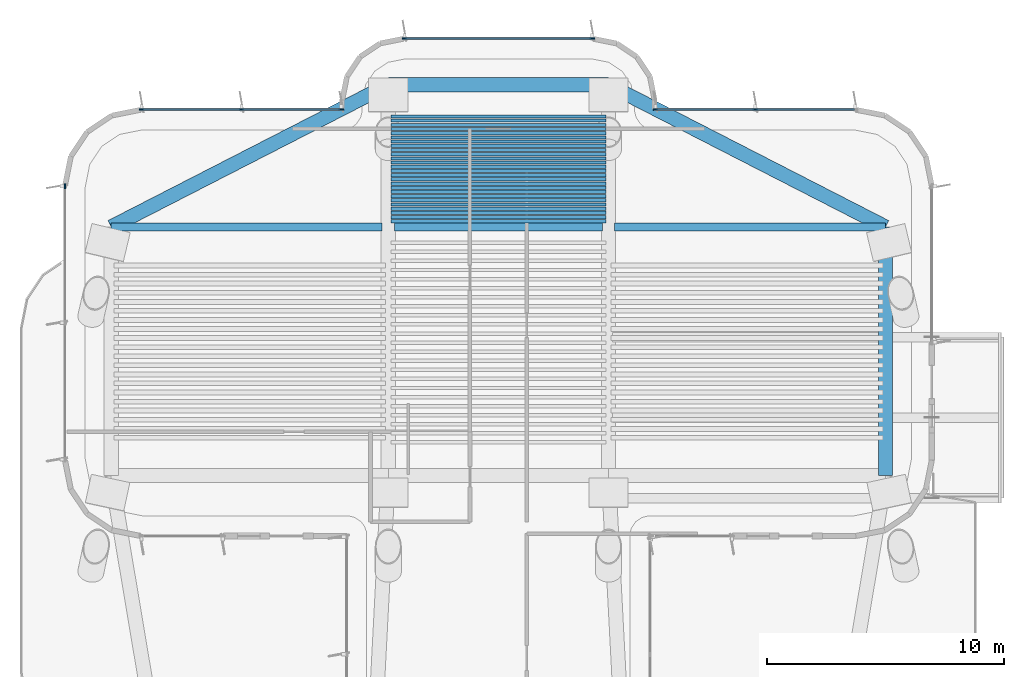
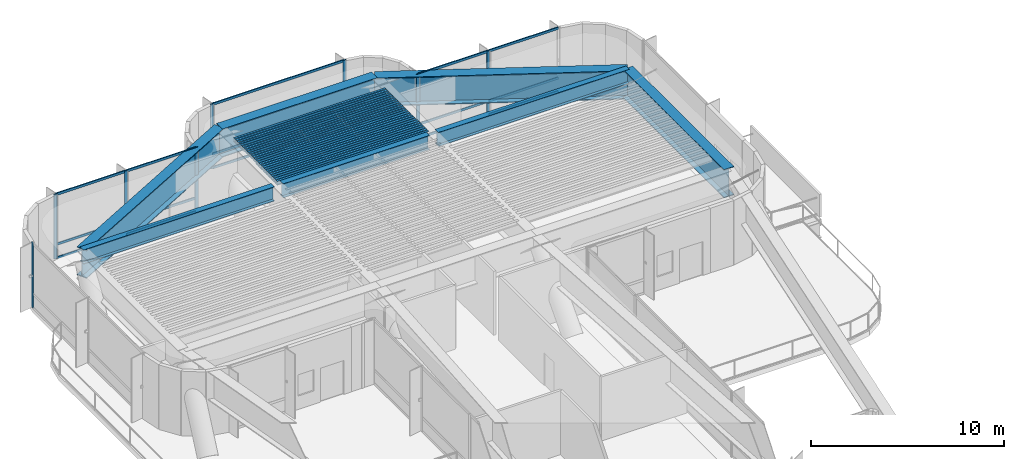
# One storey, part 7 of 16: 33 beams, 23 members, 4 elements without a shape of their own.
"""IFC4 building model written with IfcOpenShell, lengths in metres."""

from ifc_helpers import new_model, si_unit, direction, frame, origin, origin_2d, place, context, subcontext, project, spatial, rectangle, i_section, extrude, source, transform, mapped, material, layer, layer_set, material_profile, profile_set, type_object, element, aggregate, save


model = new_model("IFC4")

# Units and contexts
model_context = context("Model", 3, precision=1e-05, world=origin(), true_north=direction((0.0, 1.0)))
body_context = subcontext(model_context, "Body", "Model", "MODEL_VIEW")
ifc_project = project(units=[si_unit("LENGTHUNIT", "METRE"), si_unit("AREAUNIT", "SQUARE_METRE"), si_unit("VOLUMEUNIT", "CUBIC_METRE"), si_unit("PLANEANGLEUNIT", "RADIAN"), si_unit("MASSUNIT", "GRAM", prefix="KILO")], contexts=[model_context])

# Site, building, storey
site_placement = place(None, origin())
site = spatial("IfcSite", under=ifc_project, at=site_placement, CompositionType="ELEMENT")
building_placement = place(site_placement, origin())
building = spatial("IfcBuilding", under=site, at=building_placement, Name="Brelvock Crest Care Tower", CompositionType="ELEMENT")
storey_placement = place(building_placement, frame((0.0, 0.0, 218.52001953125)))
storey = spatial("IfcBuildingStorey", under=building, at=storey_placement, Name="L55", CompositionType="ELEMENT", Elevation=218.52001953125)

# Beams
ifc_material_1 = material(Name="Steel Grade 350", Category="steel")
ifc_material_profile_1 = material_profile(ifc_material_1, i_section(OverallWidth=0.60009765625, OverallDepth=1.800048828125, WebThickness=0.028076171875, FlangeThickness=0.052001953125, at=origin_2d()), Name="1800TG740")
ifc_profile_set_1 = profile_set([ifc_material_profile_1], Name="Steel Grade 350")
beam_type_1 = type_object("IfcBeamType", Name="BM-TG1", PredefinedType="USERDEFINED", material=ifc_profile_set_1)
shared_shape_1 = source(origin(), body_context, "Body", "SweptSolid", [
    extrude(i_section(OverallWidth=0.60009765625, OverallDepth=1.800048828125, WebThickness=0.028076171875, FlangeThickness=0.052001953125, at=origin_2d()), origin(), (0.0, 0.0, 1.0), 10.5),
])
beam_1_placement = place(storey_placement, frame((52.35009765625, 43.949951171875, 3.19189453125), z_axis=(0.0, 1.0, 0.0), x_axis=(-1.0, 0.0, 0.0)))
element("IfcBeam", 1, at=beam_1_placement, inside=storey, type_object=beam_type_1, Name="BM-TWR-L55-02", ObjectType="GIRDER", PredefinedType="USERDEFINED", context=body_context, shape_type="MappedRepresentation", body=[
    mapped(shared_shape_1, transform((0.0, 0.0, 0.0), x_axis=(1.0, 0.0, 0.0), y_axis=(0.0, 1.0, 0.0), z_axis=(0.0, 0.0, 1.0), scale=1.0)),
])
shared_shape_2 = source(origin(), body_context, "Body", "SweptSolid", [
    extrude(i_section(OverallWidth=0.60009765625, OverallDepth=1.800048828125, WebThickness=0.028076171875, FlangeThickness=0.052001953125, at=origin_2d()), origin(), (0.0, 0.0, 1.0), 9.2998046875),
])
beam_2_placement = place(storey_placement, frame((31.35009765625, 60.449951171875, 3.19189453125), z_axis=(1.0, 0.0, 0.0), x_axis=(0.0, 1.0, 0.0)))
element("IfcBeam", 2, at=beam_2_placement, inside=storey, type_object=beam_type_1, Name="BM-TWR-L55-08", ObjectType="GIRDER", PredefinedType="USERDEFINED", context=body_context, shape_type="MappedRepresentation", body=[
    mapped(shared_shape_2, transform((0.0, 0.0, 0.0), x_axis=(1.0, 0.0, 0.0), y_axis=(0.0, 1.0, 0.0), z_axis=(0.0, 0.0, 1.0), scale=1.0)),
])
ifc_material_profile_2 = material_profile(ifc_material_1, i_section(OverallWidth=0.14599609375, OverallDepth=0.256103515625, WebThickness=0.00634765625, FlangeThickness=0.010986328125, FilletRadius=0.0087890625, at=origin_2d()), Name="250UB37.3")
ifc_profile_set_2 = profile_set([ifc_material_profile_2], Name="Steel Grade 350")
beam_type_2 = type_object("IfcBeamType", Name="BM-J3", PredefinedType="JOIST", material=ifc_profile_set_2)
shared_shape_3 = source(origin(), body_context, "Body", "SweptSolid", [
    extrude(i_section(OverallWidth=0.14599609375, OverallDepth=0.256103515625, WebThickness=0.00634765625, FlangeThickness=0.010986328125, FilletRadius=0.0087890625, at=origin_2d()), origin(), (0.0, 0.0, 1.0), 9.06982421875),
])
for number, where, z_axis, x_axis, name in (
    (3, (31.465087890625, 54.68994140625, 3.9638671875), (1.0, 0.0, 0.0), (0.0, 1.0, 0.0), "BM-JN-L55-1"),
    (4, (31.465087890625, 54.866943359375, 3.9638671875), (1.0, 0.0, 0.0), (0.0, 1.0, 0.0), "BM-JN-L55-2"),
    (5, (31.465087890625, 55.0439453125, 3.9638671875), (1.0, 0.0, 0.0), (0.0, 1.0, 0.0), "BM-JN-L55-3"),
    (6, (31.465087890625, 55.220947265625, 3.9638671875), (1.0, 0.0, 0.0), (0.0, 1.0, 0.0), "BM-JN-L55-4"),
    (7, (31.465087890625, 55.39794921875, 3.9638671875), (1.0, 0.0, 0.0), (0.0, 1.0, 0.0), "BM-JN-L55-5"),
    (8, (31.465087890625, 55.574951171875, 3.9638671875), (1.0, 0.0, 0.0), (0.0, 1.0, 0.0), "BM-JN-L55-6"),
    (9, (31.465087890625, 55.751953125, 3.9638671875), (1.0, 0.0, 0.0), (0.0, 1.0, 0.0), "BM-JN-L55-7"),
    (10, (31.465087890625, 55.928955078125, 3.9638671875), (1.0, 0.0, 0.0), (0.0, 1.0, 0.0), "BM-JN-L55-8"),
    (11, (31.465087890625, 56.10595703125, 3.9638671875), (1.0, 0.0, 0.0), (0.0, 1.0, 0.0), "BM-JN-L55-9"),
    (12, (31.465087890625, 56.282958984375, 3.9638671875), (1.0, 0.0, 0.0), (0.0, 1.0, 0.0), "BM-JN-L55-10"),
    (13, (31.465087890625, 56.4599609375, 3.9638671875), (1.0, 0.0, 0.0), (0.0, 1.0, 0.0), "BM-JN-L55-11"),
    (14, (31.465087890625, 56.636962890625, 3.9638671875), (1.0, 0.0, 0.0), (0.0, 1.0, 0.0), "BM-JN-L55-12"),
    (15, (31.465087890625, 56.81396484375, 3.9638671875), (1.0, 0.0, 0.0), (0.0, 1.0, 0.0), "BM-JN-L55-13"),
):
    element("IfcBeam", number, at=place(storey_placement, frame(where, z_axis=z_axis, x_axis=x_axis)), inside=storey, type_object=beam_type_2, Name=name, PredefinedType="JOIST", context=body_context, shape_type="MappedRepresentation", body=[
        mapped(shared_shape_3, transform((0.0, 0.0, 0.0), x_axis=(1.0, 0.0, 0.0), y_axis=(0.0, 1.0, 0.0), z_axis=(0.0, 0.0, 1.0), scale=1.0)),
    ])
ifc_material_profile_3 = material_profile(ifc_material_1, i_section(OverallWidth=0.134033203125, OverallDepth=0.20703125, WebThickness=0.00634765625, FlangeThickness=0.009521484375, FilletRadius=0.0087890625, at=origin_2d()), Name="200UB29.8")
ifc_profile_set_3 = profile_set([ifc_material_profile_3], Name="Steel Grade 350")
beam_type_3 = type_object("IfcBeamType", Name="BM-J4", PredefinedType="JOIST", material=ifc_profile_set_3)
shared_shape_4 = source(origin(), body_context, "Body", "SweptSolid", [
    extrude(i_section(OverallWidth=0.134033203125, OverallDepth=0.20703125, WebThickness=0.00634765625, FlangeThickness=0.009521484375, FilletRadius=0.0087890625, at=origin_2d()), origin(), (0.0, 0.0, 1.0), 9.06982421875),
])
for number, where, z_axis, x_axis, name in (
    (16, (31.465087890625, 56.990966796875, 3.988525390625), (1.0, 0.0, 0.0), (0.0, 1.0, 0.0), "BM-JN-L55-14"),
    (17, (31.465087890625, 57.16796875, 3.988525390625), (1.0, 0.0, 0.0), (0.0, 1.0, 0.0), "BM-JN-L55-15"),
    (18, (31.465087890625, 57.344970703125, 3.988525390625), (1.0, 0.0, 0.0), (0.0, 1.0, 0.0), "BM-JN-L55-16"),
    (19, (31.465087890625, 57.52197265625, 3.988525390625), (1.0, 0.0, 0.0), (0.0, 1.0, 0.0), "BM-JN-L55-17"),
    (20, (31.465087890625, 57.698974609375, 3.988525390625), (1.0, 0.0, 0.0), (0.0, 1.0, 0.0), "BM-JN-L55-18"),
    (21, (31.465087890625, 57.8759765625, 3.988525390625), (1.0, 0.0, 0.0), (0.0, 1.0, 0.0), "BM-JN-L55-19"),
    (22, (31.465087890625, 58.052978515625, 3.988525390625), (1.0, 0.0, 0.0), (0.0, 1.0, 0.0), "BM-JN-L55-20"),
    (23, (31.465087890625, 58.22998046875, 3.988525390625), (1.0, 0.0, 0.0), (0.0, 1.0, 0.0), "BM-JN-L55-21"),
    (24, (31.465087890625, 58.406982421875, 3.988525390625), (1.0, 0.0, 0.0), (0.0, 1.0, 0.0), "BM-JN-L55-22"),
    (25, (31.465087890625, 58.583984375, 3.988525390625), (1.0, 0.0, 0.0), (0.0, 1.0, 0.0), "BM-JN-L55-23"),
    (26, (31.465087890625, 58.760986328125, 3.988525390625), (1.0, 0.0, 0.0), (0.0, 1.0, 0.0), "BM-JN-L55-24"),
    (27, (31.465087890625, 58.93798828125, 3.988525390625), (1.0, 0.0, 0.0), (0.0, 1.0, 0.0), "BM-JN-L55-25"),
    (28, (31.465087890625, 59.114990234375, 3.988525390625), (1.0, 0.0, 0.0), (0.0, 1.0, 0.0), "BM-JN-L55-26"),
):
    element("IfcBeam", number, at=place(storey_placement, frame(where, z_axis=z_axis, x_axis=x_axis)), inside=storey, type_object=beam_type_3, Name=name, PredefinedType="JOIST", context=body_context, shape_type="MappedRepresentation", body=[
        mapped(shared_shape_4, transform((0.0, 0.0, 0.0), x_axis=(1.0, 0.0, 0.0), y_axis=(0.0, 1.0, 0.0), z_axis=(0.0, 0.0, 1.0), scale=1.0)),
    ])
ifc_material_profile_4 = material_profile(ifc_material_1, i_section(OverallWidth=0.35009765625, OverallDepth=0.89990234375, WebThickness=0.01611328125, FlangeThickness=0.028076171875, at=origin_2d()), Name="900WB257")
ifc_profile_set_4 = profile_set([ifc_material_profile_4], Name="Steel Grade 350")
beam_type_4 = type_object("IfcBeamType", Name="BM-G6", PredefinedType="BEAM", material=ifc_profile_set_4)
shared_shape_5 = source(origin(), body_context, "Body", "SweptSolid", [
    extrude(i_section(OverallWidth=0.35009765625, OverallDepth=0.89990234375, WebThickness=0.01611328125, FlangeThickness=0.028076171875, at=origin_2d()), origin(), (0.0, 0.0, 1.0), 8.77978515625),
])
beam_3_placement = place(storey_placement, frame((31.610107421875, 54.449951171875, 3.64208984375), z_axis=(1.0, 0.0, 0.0), x_axis=(0.0, 1.0, 0.0)))
element("IfcBeam", 29, at=beam_3_placement, inside=storey, type_object=beam_type_4, Name="BM-TIE-L55-C", PredefinedType="BEAM", context=body_context, shape_type="MappedRepresentation", body=[
    mapped(shared_shape_5, transform((0.0, 0.0, 0.0), x_axis=(1.0, 0.0, 0.0), y_axis=(0.0, 1.0, 0.0), z_axis=(0.0, 0.0, 1.0), scale=1.0)),
])
shared_shape_6 = source(origin(), body_context, "Body", "SweptSolid", [
    extrude(i_section(OverallWidth=0.60009765625, OverallDepth=1.800048828125, WebThickness=0.028076171875, FlangeThickness=0.052001953125, at=origin_2d()), origin(), (0.0, 0.0, 1.0), 13.14892578125),
])
for number, where, z_axis, x_axis, name in (
    (30, (19.64990234375, 54.449951171875, 3.19189453125), (0.889820555736, 0.456310616346, 0.0), (-0.456310616346, 0.889820555736, 0.0), "BM-TWR-L55-06"),
    (31, (40.64990234375, 60.449951171875, 3.19189453125), (0.889820555736, -0.456310616346, 0.0), (0.456310616346, 0.889820555736, 0.0), "BM-TWR-L55-07"),
):
    element("IfcBeam", number, at=place(storey_placement, frame(where, z_axis=z_axis, x_axis=x_axis)), inside=storey, type_object=beam_type_1, Name=name, ObjectType="GIRDER", PredefinedType="USERDEFINED", context=body_context, shape_type="MappedRepresentation", body=[
        mapped(shared_shape_6, transform((0.0, 0.0, 0.0), x_axis=(1.0, 0.0, 0.0), y_axis=(0.0, 1.0, 0.0), z_axis=(0.0, 0.0, 1.0), scale=1.0)),
    ])
shared_shape_7 = source(origin(), body_context, "Body", "SweptSolid", [
    extrude(i_section(OverallWidth=0.35009765625, OverallDepth=0.89990234375, WebThickness=0.01611328125, FlangeThickness=0.028076171875, at=origin_2d()), origin(), (0.0, 0.0, 1.0), 11.440185546875),
])
for number, where, z_axis, x_axis, name in (
    (32, (19.64990234375, 54.449951171875, 3.64208984375), (1.0, 0.0, 0.0), (0.0, 1.0, 0.0), "BM-TIE-L55-W"),
    (33, (40.909912109375, 54.449951171875, 3.64208984375), (1.0, 0.0, 0.0), (0.0, 1.0, 0.0), "BM-TIE-L55-E"),
):
    element("IfcBeam", number, at=place(storey_placement, frame(where, z_axis=z_axis, x_axis=x_axis)), inside=storey, type_object=beam_type_4, Name=name, PredefinedType="BEAM", context=body_context, shape_type="MappedRepresentation", body=[
        mapped(shared_shape_7, transform((0.0, 0.0, 0.0), x_axis=(1.0, 0.0, 0.0), y_axis=(0.0, 1.0, 0.0), z_axis=(0.0, 0.0, 1.0), scale=1.0)),
    ])

# Curtain wall, member
ifc_material_2 = material(Name="Dark Glass Double Glazed Low-E", Category="glass")
ifc_layer = layer(ifc_material_2, 0.2548828125, Name="CWS-6")
ifc_layer_set = layer_set([ifc_layer], Name="Dark Glass Double Glazed Low-E")
curtain_wall_type = type_object("IfcCurtainWallType", Name="CWS-6", PredefinedType="NOTDEFINED", material=ifc_layer_set)
curtain_wall_1_placement = place(storey_placement, origin())
curtain_wall_1 = element("IfcCurtainWall", 34, at=curtain_wall_1_placement, inside=storey, type_object=curtain_wall_type, Name="L55 Curtain Wall E17", PredefinedType="NOTDEFINED")
ifc_material_3 = material(Name="Aluminium 6063-T6", Category="aluminium")
ifc_material_profile_5 = material_profile(ifc_material_3, rectangle(XDim=0.06494140625, YDim=0.199951171875, at=origin_2d()), Name="ALU65x200")
ifc_profile_set_5 = profile_set([ifc_material_profile_5], Name="Aluminium 6063-T6")
member_type_1 = type_object("IfcMemberType", Name="CWM-1", PredefinedType="MULLION", material=ifc_profile_set_5)
shared_shape_8 = source(origin(), body_context, "Body", "SweptSolid", [
    extrude(rectangle(XDim=0.06494140625, YDim=0.199951171875, at=origin_2d()), origin(), (0.0, 0.0, 1.0), 4.092041015625),
])
member_1_placement = place(storey_placement, frame((17.699951171875, 56.16748046875, 0.0), z_axis=(0.0, 0.0, 1.0), x_axis=(-1.0, 0.0, 0.0)))
member_1 = element("IfcMember", 35, at=member_1_placement, type_object=member_type_1, Name="CW-6 mullion 3", PredefinedType="MULLION", context=body_context, shape_type="MappedRepresentation", body=[
    mapped(shared_shape_8, transform((0.0, 0.0, 0.0), x_axis=(1.0, 0.0, 0.0), y_axis=(0.0, 1.0, 0.0), z_axis=(0.0, 0.0, 1.0), scale=1.0)),
])
aggregate(curtain_wall_1, [member_1])

# Curtain wall, members
curtain_wall_2_placement = place(storey_placement, origin())
curtain_wall_2 = element("IfcCurtainWall", 36, at=curtain_wall_2_placement, inside=storey, type_object=curtain_wall_type, Name="L55 Curtain Wall E22", PredefinedType="NOTDEFINED")
member_2_placement = place(storey_placement, frame((20.9326171875, 59.39990234375, 0.0), z_axis=(0.0, 0.0, 1.0), x_axis=(0.0, 1.0, 0.0)))
member_2 = element("IfcMember", 37, at=member_2_placement, type_object=member_type_1, Name="CW-6 mullion 1", PredefinedType="MULLION", context=body_context, shape_type="MappedRepresentation", body=[
    mapped(shared_shape_8, transform((0.0, 0.0, 0.0), x_axis=(1.0, 0.0, 0.0), y_axis=(0.0, 1.0, 0.0), z_axis=(0.0, 0.0, 1.0), scale=1.0)),
])
member_3_placement = place(storey_placement, frame((25.14990234375, 59.39990234375, 0.0), z_axis=(0.0, 0.0, 1.0), x_axis=(0.0, 1.0, 0.0)))
member_3 = element("IfcMember", 38, at=member_3_placement, type_object=member_type_1, Name="CW-6 mullion 2", PredefinedType="MULLION", context=body_context, shape_type="MappedRepresentation", body=[
    mapped(shared_shape_8, transform((0.0, 0.0, 0.0), x_axis=(1.0, 0.0, 0.0), y_axis=(0.0, 1.0, 0.0), z_axis=(0.0, 0.0, 1.0), scale=1.0)),
])
member_4_placement = place(storey_placement, frame((29.367431640625, 59.39990234375, 0.0), z_axis=(0.0, 0.0, 1.0), x_axis=(0.0, 1.0, 0.0)))
member_4 = element("IfcMember", 39, at=member_4_placement, type_object=member_type_1, Name="CW-6 mullion 3", PredefinedType="MULLION", context=body_context, shape_type="MappedRepresentation", body=[
    mapped(shared_shape_8, transform((0.0, 0.0, 0.0), x_axis=(1.0, 0.0, 0.0), y_axis=(0.0, 1.0, 0.0), z_axis=(0.0, 0.0, 1.0), scale=1.0)),
])

curtain_wall_3_placement = place(storey_placement, origin())
curtain_wall_3 = element("IfcCurtainWall", 40, at=curtain_wall_3_placement, inside=storey, type_object=curtain_wall_type, Name="L55 Curtain Wall E28", PredefinedType="NOTDEFINED")
member_5_placement = place(storey_placement, frame((32.032470703125, 62.39990234375, 0.0), z_axis=(0.0, 0.0, 1.0), x_axis=(0.0, 1.0, 0.0)))
member_5 = element("IfcMember", 41, at=member_5_placement, type_object=member_type_1, Name="CW-6 mullion 1", PredefinedType="MULLION", context=body_context, shape_type="MappedRepresentation", body=[
    mapped(shared_shape_8, transform((0.0, 0.0, 0.0), x_axis=(1.0, 0.0, 0.0), y_axis=(0.0, 1.0, 0.0), z_axis=(0.0, 0.0, 1.0), scale=1.0)),
])
member_6_placement = place(storey_placement, frame((39.967529296875, 62.39990234375, 0.0), z_axis=(0.0, 0.0, 1.0), x_axis=(0.0, 1.0, 0.0)))
member_6 = element("IfcMember", 42, at=member_6_placement, type_object=member_type_1, Name="CW-6 mullion 2", PredefinedType="MULLION", context=body_context, shape_type="MappedRepresentation", body=[
    mapped(shared_shape_8, transform((0.0, 0.0, 0.0), x_axis=(1.0, 0.0, 0.0), y_axis=(0.0, 1.0, 0.0), z_axis=(0.0, 0.0, 1.0), scale=1.0)),
])

curtain_wall_4_placement = place(storey_placement, origin())
curtain_wall_4 = element("IfcCurtainWall", 43, at=curtain_wall_4_placement, inside=storey, type_object=curtain_wall_type, Name="L55 Curtain Wall E34", PredefinedType="NOTDEFINED")
member_7_placement = place(storey_placement, frame((42.632568359375, 59.39990234375, 0.0), z_axis=(0.0, 0.0, 1.0), x_axis=(0.0, 1.0, 0.0)))
member_7 = element("IfcMember", 44, at=member_7_placement, type_object=member_type_1, Name="CW-6 mullion 1", PredefinedType="MULLION", context=body_context, shape_type="MappedRepresentation", body=[
    mapped(shared_shape_8, transform((0.0, 0.0, 0.0), x_axis=(1.0, 0.0, 0.0), y_axis=(0.0, 1.0, 0.0), z_axis=(0.0, 0.0, 1.0), scale=1.0)),
])
member_8_placement = place(storey_placement, frame((46.85009765625, 59.39990234375, 0.0), z_axis=(0.0, 0.0, 1.0), x_axis=(0.0, 1.0, 0.0)))
member_8 = element("IfcMember", 45, at=member_8_placement, type_object=member_type_1, Name="CW-6 mullion 2", PredefinedType="MULLION", context=body_context, shape_type="MappedRepresentation", body=[
    mapped(shared_shape_8, transform((0.0, 0.0, 0.0), x_axis=(1.0, 0.0, 0.0), y_axis=(0.0, 1.0, 0.0), z_axis=(0.0, 0.0, 1.0), scale=1.0)),
])

# Member
ifc_material_profile_6 = material_profile(ifc_material_3, rectangle(XDim=0.06494140625, YDim=0.14990234375, at=origin_2d()), Name="ALU65x150")
ifc_profile_set_6 = profile_set([ifc_material_profile_6], Name="Aluminium 6063-T6")
member_type_2 = type_object("IfcMemberType", Name="CWT-1", PredefinedType="USERDEFINED", material=ifc_profile_set_6)
shared_shape_9 = source(origin(), body_context, "Body", "SweptSolid", [
    extrude(rectangle(XDim=0.06494140625, YDim=0.14990234375, at=origin_2d()), origin(), (0.0, 0.0, 1.0), 4.15234375),
])
member_9_placement = place(storey_placement, frame((20.965087890625, 59.39990234375, 0.032470703125), z_axis=(1.0, 0.0, 0.0), x_axis=(0.0, 1.0, 0.0)))
member_9 = element("IfcMember", 46, at=member_9_placement, type_object=member_type_2, Name="CW-6 transom 1.1", ObjectType="TRANSOM", PredefinedType="USERDEFINED", context=body_context, shape_type="MappedRepresentation", body=[
    mapped(shared_shape_9, transform((0.0, 0.0, 0.0), x_axis=(1.0, 0.0, 0.0), y_axis=(0.0, 1.0, 0.0), z_axis=(0.0, 0.0, 1.0), scale=1.0)),
])

member_10_placement = place(storey_placement, frame((20.965087890625, 59.39990234375, 0.89990234375), z_axis=(1.0, 0.0, 0.0), x_axis=(0.0, 1.0, 0.0)))
member_10 = element("IfcMember", 47, at=member_10_placement, type_object=member_type_2, Name="CW-6 transom 1.2", ObjectType="TRANSOM", PredefinedType="USERDEFINED", context=body_context, shape_type="MappedRepresentation", body=[
    mapped(shared_shape_9, transform((0.0, 0.0, 0.0), x_axis=(1.0, 0.0, 0.0), y_axis=(0.0, 1.0, 0.0), z_axis=(0.0, 0.0, 1.0), scale=1.0)),
])

member_11_placement = place(storey_placement, frame((20.965087890625, 59.39990234375, 4.0595703125), z_axis=(1.0, 0.0, 0.0), x_axis=(0.0, 1.0, 0.0)))
member_11 = element("IfcMember", 48, at=member_11_placement, type_object=member_type_2, Name="CW-6 transom 1.3", ObjectType="TRANSOM", PredefinedType="USERDEFINED", context=body_context, shape_type="MappedRepresentation", body=[
    mapped(shared_shape_9, transform((0.0, 0.0, 0.0), x_axis=(1.0, 0.0, 0.0), y_axis=(0.0, 1.0, 0.0), z_axis=(0.0, 0.0, 1.0), scale=1.0)),
])

member_12_placement = place(storey_placement, frame((25.1826171875, 59.39990234375, 0.032470703125), z_axis=(1.0, 0.0, 0.0), x_axis=(0.0, 1.0, 0.0)))
member_12 = element("IfcMember", 49, at=member_12_placement, type_object=member_type_2, Name="CW-6 transom 2.1", ObjectType="TRANSOM", PredefinedType="USERDEFINED", context=body_context, shape_type="MappedRepresentation", body=[
    mapped(shared_shape_9, transform((0.0, 0.0, 0.0), x_axis=(1.0, 0.0, 0.0), y_axis=(0.0, 1.0, 0.0), z_axis=(0.0, 0.0, 1.0), scale=1.0)),
])

member_13_placement = place(storey_placement, frame((25.1826171875, 59.39990234375, 0.89990234375), z_axis=(1.0, 0.0, 0.0), x_axis=(0.0, 1.0, 0.0)))
member_13 = element("IfcMember", 50, at=member_13_placement, type_object=member_type_2, Name="CW-6 transom 2.2", ObjectType="TRANSOM", PredefinedType="USERDEFINED", context=body_context, shape_type="MappedRepresentation", body=[
    mapped(shared_shape_9, transform((0.0, 0.0, 0.0), x_axis=(1.0, 0.0, 0.0), y_axis=(0.0, 1.0, 0.0), z_axis=(0.0, 0.0, 1.0), scale=1.0)),
])

member_14_placement = place(storey_placement, frame((25.1826171875, 59.39990234375, 4.0595703125), z_axis=(1.0, 0.0, 0.0), x_axis=(0.0, 1.0, 0.0)))
member_14 = element("IfcMember", 51, at=member_14_placement, type_object=member_type_2, Name="CW-6 transom 2.3", ObjectType="TRANSOM", PredefinedType="USERDEFINED", context=body_context, shape_type="MappedRepresentation", body=[
    mapped(shared_shape_9, transform((0.0, 0.0, 0.0), x_axis=(1.0, 0.0, 0.0), y_axis=(0.0, 1.0, 0.0), z_axis=(0.0, 0.0, 1.0), scale=1.0)),
])

aggregate(curtain_wall_2, [member_2, member_3, member_4, member_9, member_10, member_11, member_12, member_13, member_14])

member_15_placement = place(storey_placement, frame((42.6650390625, 59.39990234375, 0.032470703125), z_axis=(1.0, 0.0, 0.0), x_axis=(0.0, 1.0, 0.0)))
member_15 = element("IfcMember", 52, at=member_15_placement, type_object=member_type_2, Name="CW-6 transom 1.1", ObjectType="TRANSOM", PredefinedType="USERDEFINED", context=body_context, shape_type="MappedRepresentation", body=[
    mapped(shared_shape_9, transform((0.0, 0.0, 0.0), x_axis=(1.0, 0.0, 0.0), y_axis=(0.0, 1.0, 0.0), z_axis=(0.0, 0.0, 1.0), scale=1.0)),
])

member_16_placement = place(storey_placement, frame((42.6650390625, 59.39990234375, 0.89990234375), z_axis=(1.0, 0.0, 0.0), x_axis=(0.0, 1.0, 0.0)))
member_16 = element("IfcMember", 53, at=member_16_placement, type_object=member_type_2, Name="CW-6 transom 1.2", ObjectType="TRANSOM", PredefinedType="USERDEFINED", context=body_context, shape_type="MappedRepresentation", body=[
    mapped(shared_shape_9, transform((0.0, 0.0, 0.0), x_axis=(1.0, 0.0, 0.0), y_axis=(0.0, 1.0, 0.0), z_axis=(0.0, 0.0, 1.0), scale=1.0)),
])

member_17_placement = place(storey_placement, frame((42.6650390625, 59.39990234375, 4.0595703125), z_axis=(1.0, 0.0, 0.0), x_axis=(0.0, 1.0, 0.0)))
member_17 = element("IfcMember", 54, at=member_17_placement, type_object=member_type_2, Name="CW-6 transom 1.3", ObjectType="TRANSOM", PredefinedType="USERDEFINED", context=body_context, shape_type="MappedRepresentation", body=[
    mapped(shared_shape_9, transform((0.0, 0.0, 0.0), x_axis=(1.0, 0.0, 0.0), y_axis=(0.0, 1.0, 0.0), z_axis=(0.0, 0.0, 1.0), scale=1.0)),
])

member_18_placement = place(storey_placement, frame((46.882568359375, 59.39990234375, 0.032470703125), z_axis=(1.0, 0.0, 0.0), x_axis=(0.0, 1.0, 0.0)))
member_18 = element("IfcMember", 55, at=member_18_placement, type_object=member_type_2, Name="CW-6 transom 2.1", ObjectType="TRANSOM", PredefinedType="USERDEFINED", context=body_context, shape_type="MappedRepresentation", body=[
    mapped(shared_shape_9, transform((0.0, 0.0, 0.0), x_axis=(1.0, 0.0, 0.0), y_axis=(0.0, 1.0, 0.0), z_axis=(0.0, 0.0, 1.0), scale=1.0)),
])

member_19_placement = place(storey_placement, frame((46.882568359375, 59.39990234375, 0.89990234375), z_axis=(1.0, 0.0, 0.0), x_axis=(0.0, 1.0, 0.0)))
member_19 = element("IfcMember", 56, at=member_19_placement, type_object=member_type_2, Name="CW-6 transom 2.2", ObjectType="TRANSOM", PredefinedType="USERDEFINED", context=body_context, shape_type="MappedRepresentation", body=[
    mapped(shared_shape_9, transform((0.0, 0.0, 0.0), x_axis=(1.0, 0.0, 0.0), y_axis=(0.0, 1.0, 0.0), z_axis=(0.0, 0.0, 1.0), scale=1.0)),
])

member_20_placement = place(storey_placement, frame((46.882568359375, 59.39990234375, 4.0595703125), z_axis=(1.0, 0.0, 0.0), x_axis=(0.0, 1.0, 0.0)))
member_20 = element("IfcMember", 57, at=member_20_placement, type_object=member_type_2, Name="CW-6 transom 2.3", ObjectType="TRANSOM", PredefinedType="USERDEFINED", context=body_context, shape_type="MappedRepresentation", body=[
    mapped(shared_shape_9, transform((0.0, 0.0, 0.0), x_axis=(1.0, 0.0, 0.0), y_axis=(0.0, 1.0, 0.0), z_axis=(0.0, 0.0, 1.0), scale=1.0)),
])

aggregate(curtain_wall_4, [member_7, member_8, member_15, member_16, member_17, member_18, member_19, member_20])

shared_shape_10 = source(origin(), body_context, "Body", "SweptSolid", [
    extrude(rectangle(XDim=0.06494140625, YDim=0.14990234375, at=origin_2d()), origin(), (0.0, 0.0, 1.0), 7.8701171875),
])
member_21_placement = place(storey_placement, frame((32.06494140625, 62.39990234375, 0.032470703125), z_axis=(1.0, 0.0, 0.0), x_axis=(0.0, 1.0, 0.0)))
member_21 = element("IfcMember", 58, at=member_21_placement, type_object=member_type_2, Name="CW-6 transom 1.1", ObjectType="TRANSOM", PredefinedType="USERDEFINED", context=body_context, shape_type="MappedRepresentation", body=[
    mapped(shared_shape_10, transform((0.0, 0.0, 0.0), x_axis=(1.0, 0.0, 0.0), y_axis=(0.0, 1.0, 0.0), z_axis=(0.0, 0.0, 1.0), scale=1.0)),
])

member_22_placement = place(storey_placement, frame((32.06494140625, 62.39990234375, 0.89990234375), z_axis=(1.0, 0.0, 0.0), x_axis=(0.0, 1.0, 0.0)))
member_22 = element("IfcMember", 59, at=member_22_placement, type_object=member_type_2, Name="CW-6 transom 1.2", ObjectType="TRANSOM", PredefinedType="USERDEFINED", context=body_context, shape_type="MappedRepresentation", body=[
    mapped(shared_shape_10, transform((0.0, 0.0, 0.0), x_axis=(1.0, 0.0, 0.0), y_axis=(0.0, 1.0, 0.0), z_axis=(0.0, 0.0, 1.0), scale=1.0)),
])

member_23_placement = place(storey_placement, frame((32.06494140625, 62.39990234375, 4.0595703125), z_axis=(1.0, 0.0, 0.0), x_axis=(0.0, 1.0, 0.0)))
member_23 = element("IfcMember", 60, at=member_23_placement, type_object=member_type_2, Name="CW-6 transom 1.3", ObjectType="TRANSOM", PredefinedType="USERDEFINED", context=body_context, shape_type="MappedRepresentation", body=[
    mapped(shared_shape_10, transform((0.0, 0.0, 0.0), x_axis=(1.0, 0.0, 0.0), y_axis=(0.0, 1.0, 0.0), z_axis=(0.0, 0.0, 1.0), scale=1.0)),
])

aggregate(curtain_wall_3, [member_5, member_6, member_21, member_22, member_23])

save(model, "model.ifc")
